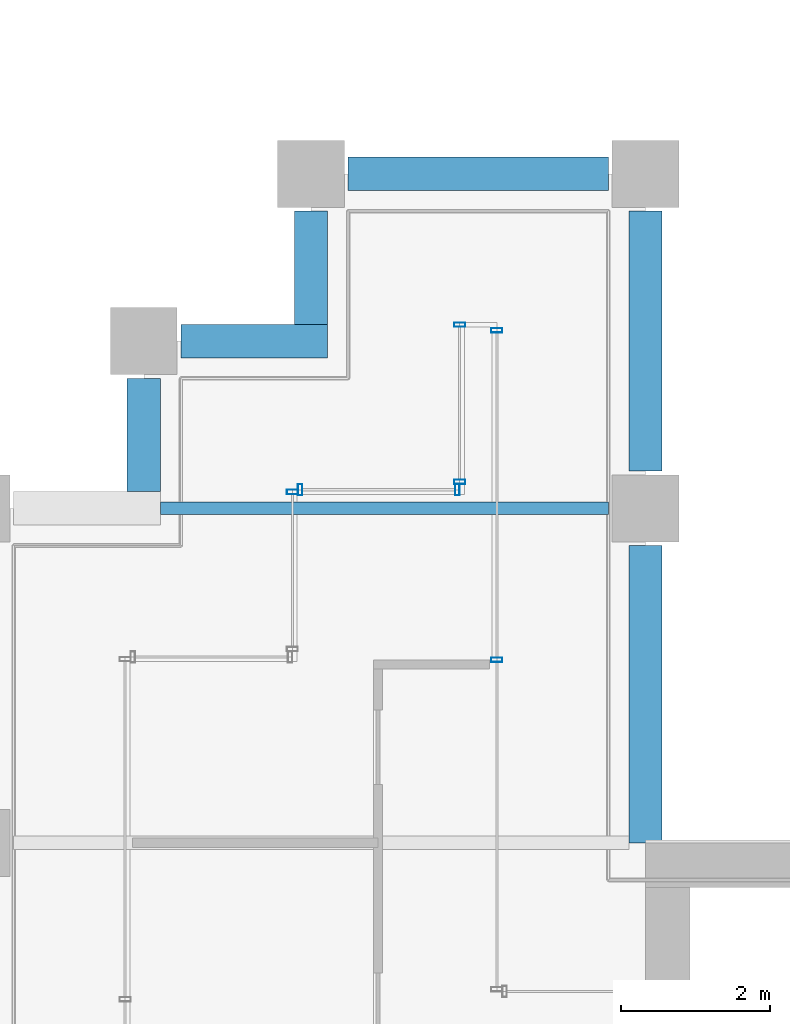
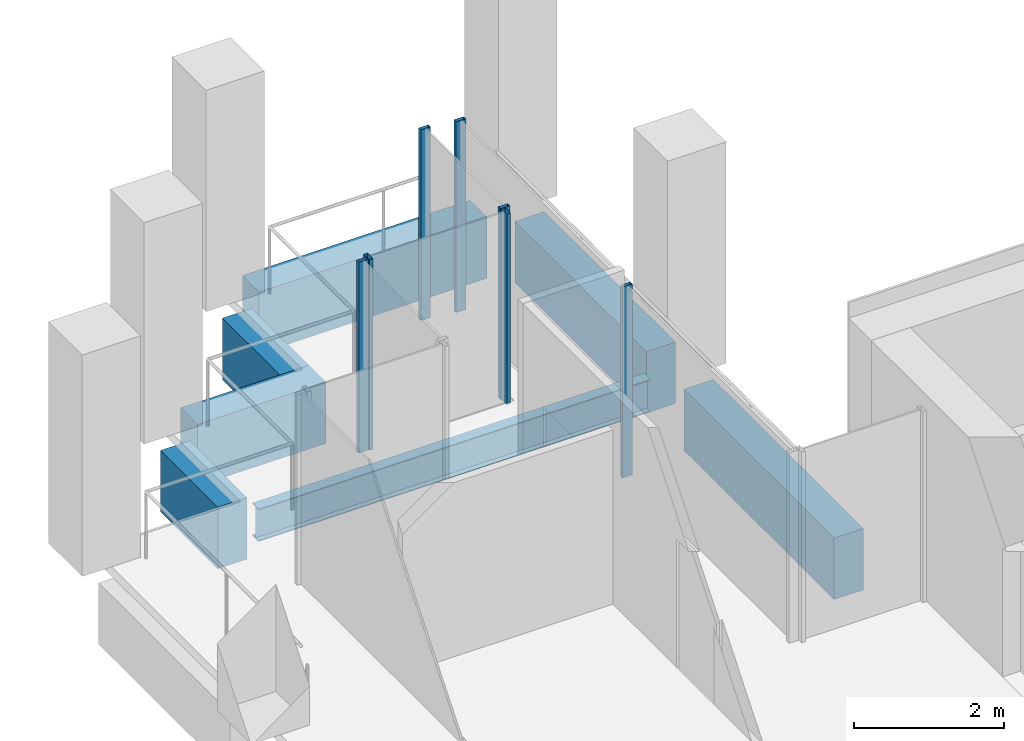
# One storey, part 35 of 44: 7 beams, 7 members, 4 elements without a shape of their own.
"""IFC4 building model written with IfcOpenShell, lengths in metres."""

from ifc_helpers import new_model, si_unit, direction, frame, origin, origin_2d, place, context, subcontext, project, spatial, rectangle, hollow_rectangle, i_section, extrude, material, material_profile, profile_set, type_object, element, aggregate, save


model = new_model("IFC4")

# Units and contexts
model_context = context("Model", 3, precision=1e-05, world=origin(), true_north=direction((0.0, 1.0)))
body_context = subcontext(model_context, "Body", "Model", "MODEL_VIEW")
ifc_project = project(units=[si_unit("LENGTHUNIT", "METRE"), si_unit("AREAUNIT", "SQUARE_METRE"), si_unit("VOLUMEUNIT", "CUBIC_METRE"), si_unit("PLANEANGLEUNIT", "RADIAN"), si_unit("MASSUNIT", "GRAM", prefix="KILO")], contexts=[model_context])

# Site, building, storey
site_placement = place(None, origin())
site = spatial("IfcSite", under=ifc_project, at=site_placement, CompositionType="ELEMENT")
building_placement = place(site_placement, origin())
building = spatial("IfcBuilding", under=site, at=building_placement, Name="Altepetl Exchange Towers", CompositionType="ELEMENT")
storey_placement = place(building_placement, frame((0.0, 0.0, 143.800048828125)))
storey = spatial("IfcBuildingStorey", under=building, at=storey_placement, Name="L35", CompositionType="ELEMENT", Elevation=143.800048828125)

# Beam
ifc_material_1 = material(Name="Steel S355", Category="steel")
ifc_material_profile_1 = material_profile(ifc_material_1, i_section(OverallWidth=0.166015625, OverallDepth=0.529052734375, WebThickness=0.009765625, FlangeThickness=0.013671875, at=origin_2d()), Name="W21X50")
ifc_profile_set_1 = profile_set([ifc_material_profile_1], Name="Steel S355")
beam_type_1 = type_object("IfcBeamType", Name="Floor beam W21X50", PredefinedType="BEAM", material=ifc_profile_set_1)
beam_1_placement = place(storey_placement, frame((96.97509765625, 54.0, -0.41455078125), z_axis=(1.0, 0.0, 0.0), x_axis=(0.0, 1.0, 0.0)))
element("IfcBeam", 1, at=beam_1_placement, inside=storey, type_object=beam_type_1, Name="bm:B:L35:007", PredefinedType="BEAM", context=body_context, shape_type="SweptSolid", body=[
    extrude(i_section(OverallWidth=0.166015625, OverallDepth=0.529052734375, WebThickness=0.009765625, FlangeThickness=0.013671875, at=origin_2d()), origin(), (0.0, 0.0, 1.0), 6.02490234375),
])

# Curtain wall, members
ifc_material_2 = material(Name="Aluminium 6063-T6 glazing", Category="aluminium")
curtain_wall_type = type_object("IfcCurtainWallType", Name="Loggia glazing system", PredefinedType="NOTDEFINED", material=ifc_material_2)
curtain_wall_1_placement = place(storey_placement, origin())
curtain_wall_1 = element("IfcCurtainWall", 2, at=curtain_wall_1_placement, inside=storey, type_object=curtain_wall_type, Name="CW1 run", PredefinedType="NOTDEFINED")
ifc_material_3 = material(Name="Aluminium 6063-T6", Category="aluminium")
ifc_material_profile_2 = material_profile(ifc_material_3, hollow_rectangle(XDim=0.06005859375, YDim=0.14990234375, WallThickness=0.0029296875, at=origin_2d()), Name="Mullion 60x150 aluminium")
ifc_profile_set_2 = profile_set([ifc_material_profile_2], Name="Aluminium 6063-T6")
member_type = type_object("IfcMemberType", Name="Mullion 60x150 aluminium", PredefinedType="MULLION", material=ifc_profile_set_2)
member_1_placement = place(storey_placement, frame((101.5, 51.96240234375, 0.0), z_axis=(0.0, 0.0, 1.0), x_axis=(0.0, 1.0, 0.0)))
member_1 = element("IfcMember", 3, at=member_1_placement, type_object=member_type, Name="MU1 mullion", PredefinedType="MULLION", context=body_context, shape_type="SweptSolid", body=[
    extrude(hollow_rectangle(XDim=0.06005859375, YDim=0.14990234375, WallThickness=0.0029296875, at=origin_2d()), origin(), (0.0, 0.0, 1.0), 3.099853515625),
])
member_2_placement = place(storey_placement, frame((101.5, 56.39501953125, 0.0), z_axis=(0.0, 0.0, 1.0), x_axis=(0.0, 1.0, 0.0)))
member_2 = element("IfcMember", 4, at=member_2_placement, type_object=member_type, Name="MU1 mullion", PredefinedType="MULLION", context=body_context, shape_type="SweptSolid", body=[
    extrude(hollow_rectangle(XDim=0.06005859375, YDim=0.14990234375, WallThickness=0.0029296875, at=origin_2d()), origin(), (0.0, 0.0, 1.0), 3.099853515625),
])
aggregate(curtain_wall_1, [member_1, member_2])

curtain_wall_2_placement = place(storey_placement, origin())
curtain_wall_2 = element("IfcCurtainWall", 5, at=curtain_wall_2_placement, inside=storey, type_object=curtain_wall_type, Name="CW1 run", PredefinedType="NOTDEFINED")
member_3_placement = place(storey_placement, frame((101.0, 56.469970703125, 0.0), z_axis=(0.0, 0.0, 1.0), x_axis=(0.0, -1.0, 0.0)))
member_3 = element("IfcMember", 6, at=member_3_placement, type_object=member_type, Name="MU1 mullion", PredefinedType="MULLION", context=body_context, shape_type="SweptSolid", body=[
    extrude(hollow_rectangle(XDim=0.06005859375, YDim=0.14990234375, WallThickness=0.0029296875, at=origin_2d()), origin(), (0.0, 0.0, 1.0), 3.099853515625),
])
member_4_placement = place(storey_placement, frame((101.0, 54.35498046875, 0.0), z_axis=(0.0, 0.0, 1.0), x_axis=(0.0, -1.0, 0.0)))
member_4 = element("IfcMember", 7, at=member_4_placement, type_object=member_type, Name="MU1 mullion", PredefinedType="MULLION", context=body_context, shape_type="SweptSolid", body=[
    extrude(hollow_rectangle(XDim=0.06005859375, YDim=0.14990234375, WallThickness=0.0029296875, at=origin_2d()), origin(), (0.0, 0.0, 1.0), 3.099853515625),
])
aggregate(curtain_wall_2, [member_3, member_4])

curtain_wall_3_placement = place(storey_placement, origin())
curtain_wall_3 = element("IfcCurtainWall", 8, at=curtain_wall_3_placement, inside=storey, type_object=curtain_wall_type, Name="CW1 run", PredefinedType="NOTDEFINED")
member_5_placement = place(storey_placement, frame((100.969970703125, 54.25, 0.0), z_axis=(0.0, 0.0, 1.0), x_axis=(-1.0, 0.0, 0.0)))
member_5 = element("IfcMember", 9, at=member_5_placement, type_object=member_type, Name="MU1 mullion", PredefinedType="MULLION", context=body_context, shape_type="SweptSolid", body=[
    extrude(hollow_rectangle(XDim=0.06005859375, YDim=0.14990234375, WallThickness=0.0029296875, at=origin_2d()), origin(), (0.0, 0.0, 1.0), 3.099853515625),
])
member_6_placement = place(storey_placement, frame((98.85498046875, 54.25, 0.0), z_axis=(0.0, 0.0, 1.0), x_axis=(-1.0, 0.0, 0.0)))
member_6 = element("IfcMember", 10, at=member_6_placement, type_object=member_type, Name="MU1 mullion", PredefinedType="MULLION", context=body_context, shape_type="SweptSolid", body=[
    extrude(hollow_rectangle(XDim=0.06005859375, YDim=0.14990234375, WallThickness=0.0029296875, at=origin_2d()), origin(), (0.0, 0.0, 1.0), 3.099853515625),
])
aggregate(curtain_wall_3, [member_5, member_6])

# Curtain wall, member
curtain_wall_4_placement = place(storey_placement, origin())
curtain_wall_4 = element("IfcCurtainWall", 11, at=curtain_wall_4_placement, inside=storey, type_object=curtain_wall_type, Name="CW1 run", PredefinedType="NOTDEFINED")
member_7_placement = place(storey_placement, frame((98.75, 54.219970703125, 0.0), z_axis=(0.0, 0.0, 1.0), x_axis=(0.0, -1.0, 0.0)))
member_7 = element("IfcMember", 12, at=member_7_placement, type_object=member_type, Name="MU1 mullion", PredefinedType="MULLION", context=body_context, shape_type="SweptSolid", body=[
    extrude(hollow_rectangle(XDim=0.06005859375, YDim=0.14990234375, WallThickness=0.0029296875, at=origin_2d()), origin(), (0.0, 0.0, 1.0), 3.099853515625),
])
aggregate(curtain_wall_4, [member_7])

# Beams
ifc_material_4 = material(Name="Concrete C50/60 precast with cantera rosa facing", Category="concrete")
ifc_material_profile_3 = material_profile(ifc_material_4, rectangle(XDim=0.449951171875, YDim=1.0, at=origin_2d()), Name="450 x 1000")
ifc_profile_set_3 = profile_set([ifc_material_profile_3], Name="Concrete C50/60 precast with cantera rosa facing")
beam_type_2 = type_object("IfcBeamType", Name="Spandrel beam 450x1000 cantera rosa", PredefinedType="SPANDREL", material=ifc_profile_set_3)
beam_2_placement = place(storey_placement, frame((103.5, 49.5, -0.650146484375), z_axis=(0.0, 1.0, 0.0), x_axis=(-1.0, 0.0, 0.0)))
element("IfcBeam", 13, at=beam_2_placement, inside=storey, type_object=beam_type_2, Name="sp:B:L35:008", PredefinedType="SPANDREL", context=body_context, shape_type="SweptSolid", body=[
    extrude(rectangle(XDim=0.449951171875, YDim=1.0, at=origin_2d()), origin(), (0.0, 0.0, 1.0), 4.0),
])
for number, where, z_axis, x_axis, name in (
    (14, (103.5, 54.5, -0.650146484375), (0.0, 1.0, 0.0), (-1.0, 0.0, 0.0), "sp:B:L35:009"),
    (15, (103.0, 58.5, -0.650146484375), (-1.0, 0.0, 0.0), (0.0, -1.0, 0.0), "sp:B:L35:010"),
):
    element("IfcBeam", number, at=place(storey_placement, frame(where, z_axis=z_axis, x_axis=x_axis)), inside=storey, type_object=beam_type_2, Name=name, PredefinedType="SPANDREL", context=body_context, shape_type="SweptSolid", body=[
        extrude(rectangle(XDim=0.449951171875, YDim=1.0, at=origin_2d()), origin(), (0.0, 0.0, 1.0), 3.5),
    ])
beam_3_placement = place(storey_placement, frame((99.0, 58.0, -0.650146484375), z_axis=(0.0, -1.0, 0.0), x_axis=(1.0, 0.0, 0.0)))
element("IfcBeam", 16, at=beam_3_placement, inside=storey, type_object=beam_type_2, Name="sp:B:L35:011", PredefinedType="SPANDREL", context=body_context, shape_type="SweptSolid", body=[
    extrude(rectangle(XDim=0.449951171875, YDim=1.0, at=origin_2d()), origin(), (0.0, 0.0, 1.0), 1.52490234375),
])
beam_4_placement = place(storey_placement, frame((99.22509765625, 56.25, -0.650146484375), z_axis=(-1.0, 0.0, 0.0), x_axis=(0.0, -1.0, 0.0)))
element("IfcBeam", 17, at=beam_4_placement, inside=storey, type_object=beam_type_2, Name="sp:B:L35:012", PredefinedType="SPANDREL", context=body_context, shape_type="SweptSolid", body=[
    extrude(rectangle(XDim=0.449951171875, YDim=1.0, at=origin_2d()), origin(), (0.0, 0.0, 1.0), 1.97509765625),
])
beam_5_placement = place(storey_placement, frame((96.75, 55.75, -0.650146484375), z_axis=(0.0, -1.0, 0.0), x_axis=(1.0, 0.0, 0.0)))
element("IfcBeam", 18, at=beam_5_placement, inside=storey, type_object=beam_type_2, Name="sp:B:L35:013", PredefinedType="SPANDREL", context=body_context, shape_type="SweptSolid", body=[
    extrude(rectangle(XDim=0.449951171875, YDim=1.0, at=origin_2d()), origin(), (0.0, 0.0, 1.0), 1.52490234375),
])

save(model, "model.ifc")
